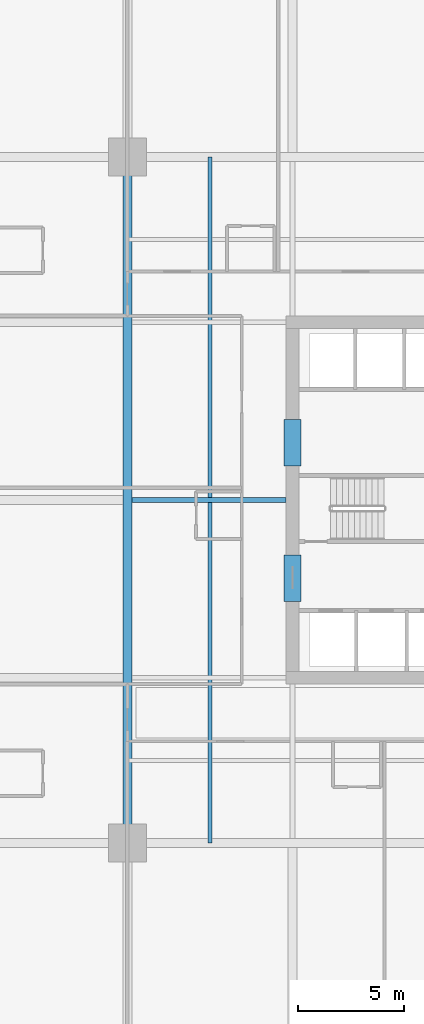
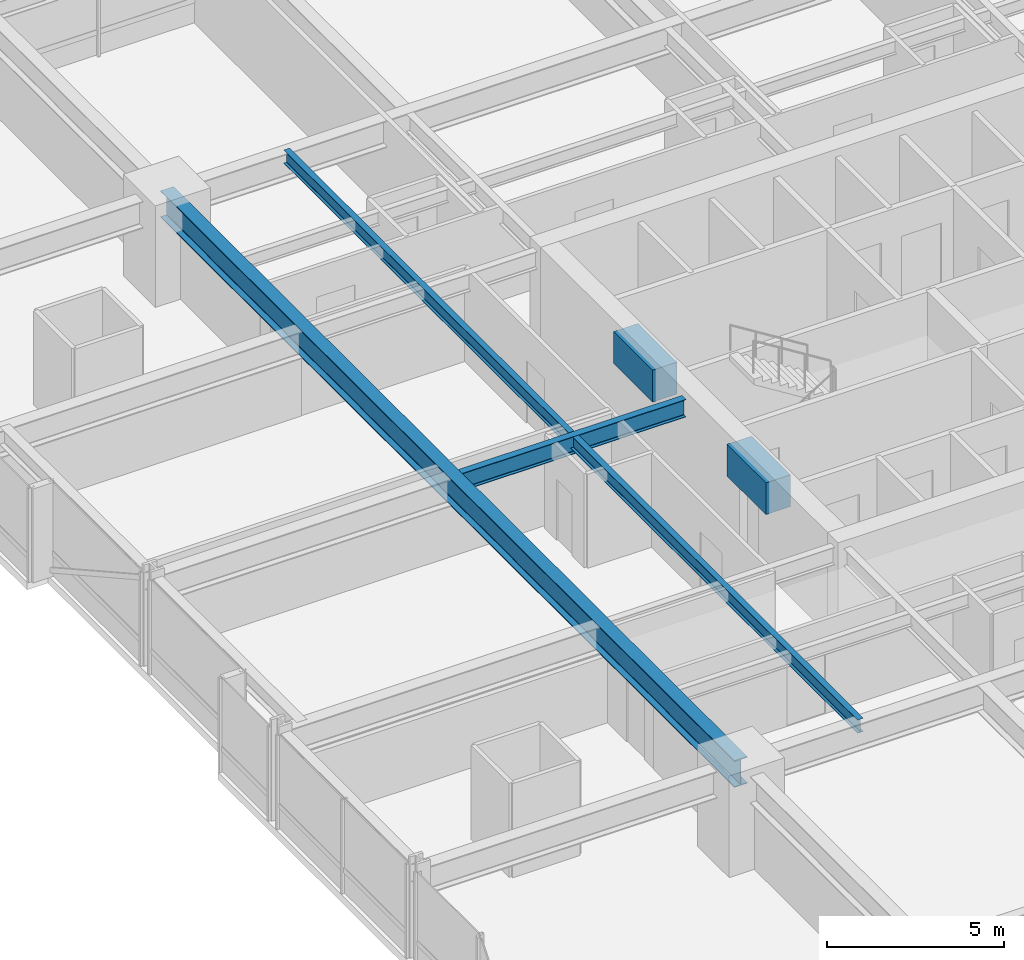
# One storey, part 10 of 38: 5 beams.
"""IFC4 building model written with IfcOpenShell, lengths in metres."""

from ifc_helpers import new_model, si_unit, direction, frame, origin, origin_2d, place, context, subcontext, project, spatial, rectangle, i_section, extrude, material, material_profile, profile_set, type_object, element, save


model = new_model("IFC4")

# Units and contexts
model_context = context("Model", 3, precision=1e-05, world=origin(), true_north=direction((0.0, 1.0)))
body_context = subcontext(model_context, "Body", "Model", "MODEL_VIEW")
ifc_project = project(units=[si_unit("LENGTHUNIT", "METRE"), si_unit("AREAUNIT", "SQUARE_METRE"), si_unit("VOLUMEUNIT", "CUBIC_METRE"), si_unit("PLANEANGLEUNIT", "RADIAN"), si_unit("MASSUNIT", "GRAM", prefix="KILO")], contexts=[model_context])

# Site, building, storey
site_placement = place(None, origin())
site = spatial("IfcSite", under=ifc_project, at=site_placement, CompositionType="ELEMENT")
building_placement = place(site_placement, origin())
building = spatial("IfcBuilding", under=site, at=building_placement, Name="Drelvath Grand Hotel", CompositionType="ELEMENT")
storey_placement = place(building_placement, frame((0.0, 0.0, 50.699951171875)))
storey = spatial("IfcBuildingStorey", under=building, at=storey_placement, Name="L11", CompositionType="ELEMENT", Elevation=50.699951171875)

# Beams
ifc_material_1 = material(Name="Steel ASTM A992 Gr 50", Category="steel")
ifc_material_profile_1 = material_profile(ifc_material_1, i_section(OverallWidth=0.19140625, OverallDepth=0.4599609375, WebThickness=0.010009765625, FlangeThickness=0.01611328125, FilletRadius=0.01611328125, at=origin_2d()), Name="W18X55")
ifc_profile_set_1 = profile_set([ifc_material_profile_1], Name="Steel ASTM A992 Gr 50")
beam_type_1 = type_object("IfcBeamType", Name="Composite Floor Joist W18X55", PredefinedType="JOIST", material=ifc_profile_set_1)
beam_1_placement = place(storey_placement, frame((-12.300048828125, 10.800048828125, 3.010009765625), z_axis=(0.0, 1.0, 0.0), x_axis=(-1.0, 0.0, 0.0)))
element("IfcBeam", 1, at=beam_1_placement, inside=storey, type_object=beam_type_1, Name="L11 Wing Floor Joist J3", PredefinedType="JOIST", context=body_context, shape_type="SweptSolid", body=[
    extrude(i_section(OverallWidth=0.19140625, OverallDepth=0.4599609375, WebThickness=0.010009765625, FlangeThickness=0.01611328125, FilletRadius=0.01611328125, at=origin_2d()), origin(), (0.0, 0.0, 1.0), 32.39990234375),
])
ifc_material_2 = material(Name="Concrete f'c 70 MPa", Category="concrete")
ifc_material_profile_2 = material_profile(ifc_material_2, rectangle(XDim=0.800048828125, YDim=1.10009765625, at=origin_2d()), Name="CB800X1100")
ifc_profile_set_2 = profile_set([ifc_material_profile_2], Name="Concrete f'c 70 MPa")
beam_type_2 = type_object("IfcBeamType", Name="Core Coupling Lintel CB800X1100", PredefinedType="LINTEL", material=ifc_profile_set_2)
for number, where, z_axis, x_axis, name in (
    (2, (-8.39990234375, 22.199951171875, 2.68994140625), (0.0, 1.0, 0.0), (-1.0, 0.0, 0.0), "L11 Core Coupling Lintel WS"),
    (3, (-8.39990234375, 28.60009765625, 2.68994140625), (0.0, 1.0, 0.0), (-1.0, 0.0, 0.0), "L11 Core Coupling Lintel WN"),
):
    element("IfcBeam", number, at=place(storey_placement, frame(where, z_axis=z_axis, x_axis=x_axis)), inside=storey, type_object=beam_type_2, Name=name, PredefinedType="LINTEL", context=body_context, shape_type="SweptSolid", body=[
        extrude(rectangle(XDim=0.800048828125, YDim=1.10009765625, at=origin_2d()), origin(), (0.0, 0.0, 1.0), 2.199951171875),
    ])
ifc_material_profile_3 = material_profile(ifc_material_1, i_section(OverallWidth=0.228271484375, OverallDepth=0.607666015625, WebThickness=0.01123046875, FlangeThickness=0.017333984375, FilletRadius=0.02001953125, at=origin_2d()), Name="W24X76")
ifc_profile_set_3 = profile_set([ifc_material_profile_3], Name="Steel ASTM A992 Gr 50")
beam_type_3 = type_object("IfcBeamType", Name="Primary Floor Girder W24X76", PredefinedType="BEAM", material=ifc_profile_set_3)
beam_2_placement = place(storey_placement, frame((-15.99072265625, 27.0, 2.936279296875), z_axis=(1.0, 0.0, 0.0), x_axis=(0.0, 1.0, 0.0)))
element("IfcBeam", 4, at=beam_2_placement, inside=storey, type_object=beam_type_3, Name="L11 West Core Tie E", PredefinedType="BEAM", context=body_context, shape_type="SweptSolid", body=[
    extrude(i_section(OverallWidth=0.228271484375, OverallDepth=0.607666015625, WebThickness=0.01123046875, FlangeThickness=0.017333984375, FilletRadius=0.02001953125, at=origin_2d()), origin(), (0.0, 0.0, 1.0), 7.290771484375),
])
ifc_material_profile_4 = material_profile(ifc_material_1, i_section(OverallWidth=0.418212890625, OverallDepth=0.926513671875, WebThickness=0.019287109375, FlangeThickness=0.031982421875, FilletRadius=0.028076171875, at=origin_2d()), Name="W36X231")
ifc_profile_set_4 = profile_set([ifc_material_profile_4], Name="Steel ASTM A992 Gr 50")
beam_type_4 = type_object("IfcBeamType", Name="Primary Floor Girder W36X231", PredefinedType="BEAM", material=ifc_profile_set_4)
beam_3_placement = place(storey_placement, frame((-16.199951171875, 10.800048828125, 2.77685546875), z_axis=(0.0, 1.0, 0.0), x_axis=(-1.0, 0.0, 0.0)))
element("IfcBeam", 5, at=beam_3_placement, inside=storey, type_object=beam_type_4, Name="L11 Mega Ring Girder West", PredefinedType="BEAM", context=body_context, shape_type="SweptSolid", body=[
    extrude(i_section(OverallWidth=0.418212890625, OverallDepth=0.926513671875, WebThickness=0.019287109375, FlangeThickness=0.031982421875, FilletRadius=0.028076171875, at=origin_2d()), origin(), (0.0, 0.0, 1.0), 32.39990234375),
])

save(model, "model.ifc")
